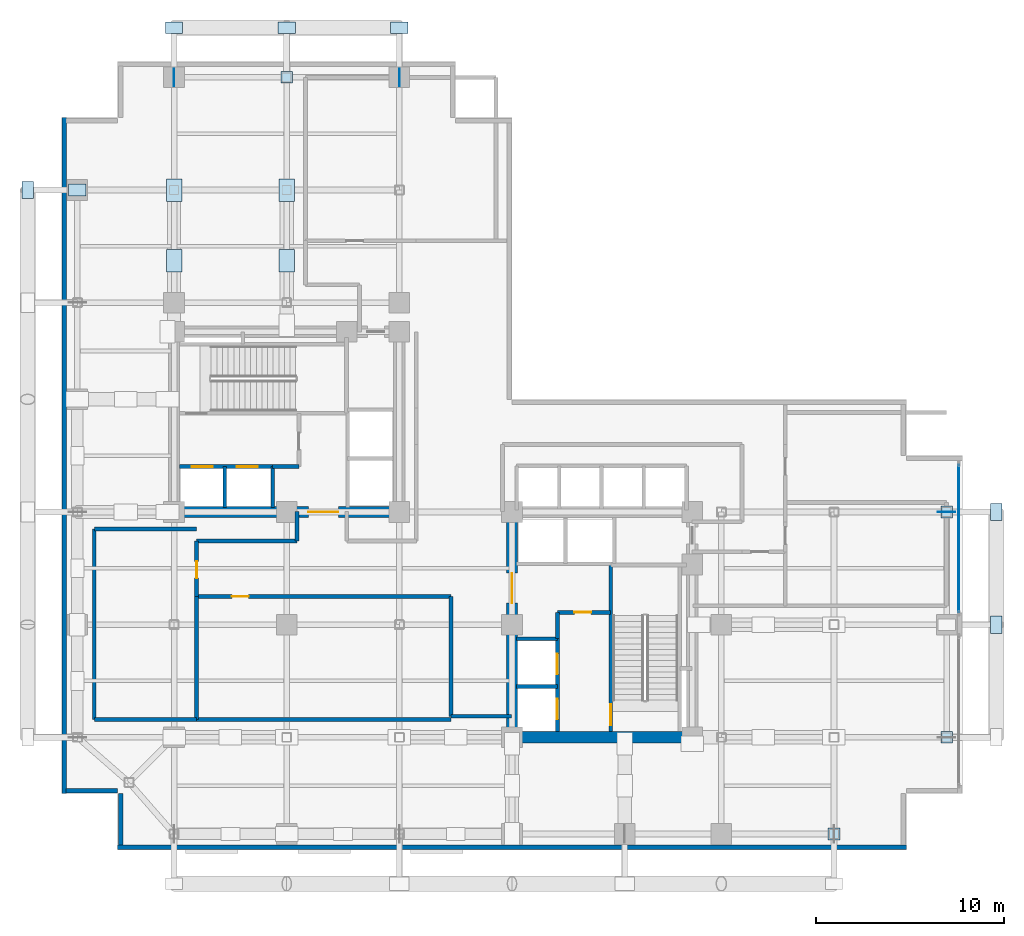
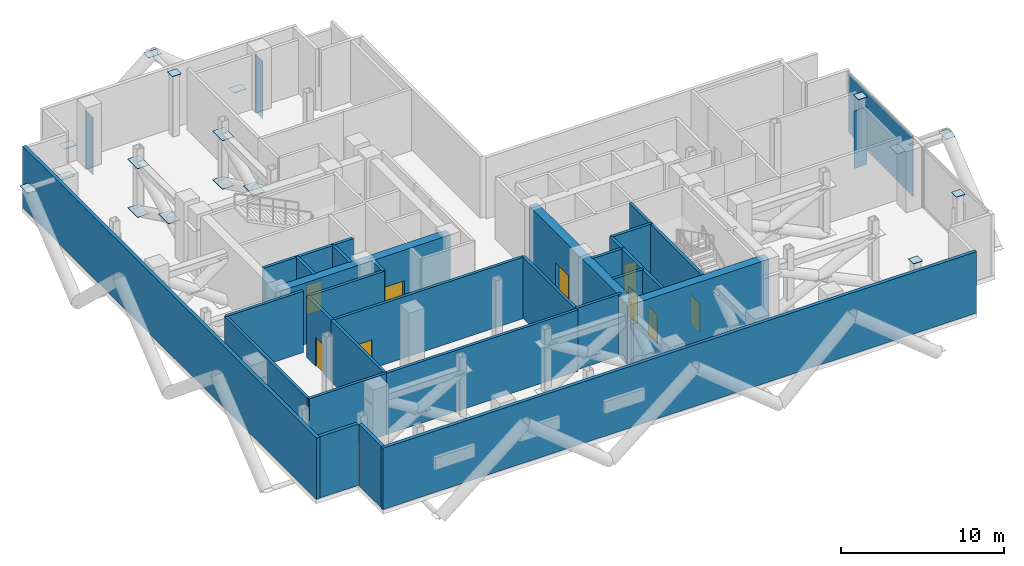
# One storey, part 6 of 9: 28 walls, 21 plates, 10 doors, 10 openings, 1 element without a shape of its own.
"""IFC4 building model written with IfcOpenShell, lengths in metres."""

from ifc_helpers import new_model, si_unit, direction, frame, frame_2d, origin, origin_2d, place, context, subcontext, project, spatial, rectangle, extrude, material, layer, layer_set, type_object, element, fill, aggregate, save


model = new_model("IFC4")

# Units and contexts
model_context = context("Model", 3, precision=1e-05, world=origin(), true_north=direction((0.0, 1.0)))
body_context = subcontext(model_context, "Body", "Model", "MODEL_VIEW")
ifc_project = project(units=[si_unit("LENGTHUNIT", "METRE"), si_unit("AREAUNIT", "SQUARE_METRE"), si_unit("VOLUMEUNIT", "CUBIC_METRE"), si_unit("PLANEANGLEUNIT", "RADIAN"), si_unit("MASSUNIT", "GRAM", prefix="KILO"), si_unit("THERMODYNAMICTEMPERATUREUNIT", "KELVIN"), si_unit("POWERUNIT", "WATT")], contexts=[model_context])

# Site, building, storey
site_placement = place(None, origin())
site = spatial("IfcSite", under=ifc_project, at=site_placement, CompositionType="ELEMENT")
building_placement = place(site_placement, origin())
building = spatial("IfcBuilding", under=site, at=building_placement, Name="Svarakhadi Broadcast Tower", CompositionType="ELEMENT")
storey_placement = place(building_placement, frame((0.0, 0.0, 164.39990234375)))
storey = spatial("IfcBuildingStorey", under=building, at=storey_placement, Name="L40", CompositionType="ELEMENT", Elevation=164.39990234375)

# Curtain wall, plate
ifc_material_1 = material(Name="Anodised Bronze Aluminium AA 6063-T6", Category="aluminium")
ifc_layer_1 = layer(ifc_material_1, 0.260009765625)
ifc_layer_set_1 = layer_set([ifc_layer_1], Name="Anodised Bronze Aluminium AA 6063-T6")
curtain_wall_type = type_object("IfcCurtainWallType", Name="CW_Sys_07", PredefinedType="NOTDEFINED", material=ifc_layer_set_1)
curtain_wall_placement = place(storey_placement, origin())
curtain_wall = element("IfcCurtainWall", 1, at=curtain_wall_placement, inside=storey, type_object=curtain_wall_type, Name="L40 East Plant Daylighting Curtain Wall CW-07 Bay 1", PredefinedType="NOTDEFINED")
ifc_material_2 = material(Name="Triple Laminated Solar-Control Crown Glass 42 mm", Category="glass")
ifc_layer_2 = layer(ifc_material_2, 0.0419921875)
ifc_layer_set_2 = layer_set([ifc_layer_2], Name="Triple Laminated Solar-Control Crown Glass 42 mm")
plate_type_1 = type_object("IfcPlateType", Name="CW_Sys_07_Pnl", PredefinedType="CURTAIN_PANEL", material=ifc_layer_set_2)
plate_1_placement = place(storey_placement, frame((47.800048828125, 16.590087890625, 0.09033203125), z_axis=(0.0, 0.0, 1.0), x_axis=(0.0, -1.0, 0.0)))
plate_1 = element("IfcPlate", 2, at=plate_1_placement, type_object=plate_type_1, Name="CW-07 panel 1.1", PredefinedType="CURTAIN_PANEL", context=body_context, shape_type="SweptSolid", body=[
    extrude(rectangle(XDim=7.860107421875, YDim=0.0419921875, at=origin_2d()), origin(), (0.0, 0.0, 1.0), 4.409912109375),
])
aggregate(curtain_wall, [plate_1])

# Plates
ifc_material_3 = material(Name="Steel S460ML (IS 2062 E450BR)", Category="steel")
ifc_layer_3 = layer(ifc_material_3, 0.031982421875)
ifc_layer_set_3 = layer_set([ifc_layer_3], Name="Steel S460ML (IS 2062 E450BR)")
plate_type_2 = type_object("IfcPlateType", Name="Cap_Plate_CP01", PredefinedType="USERDEFINED", material=ifc_layer_set_3)
for number, where, z_axis, x_axis, name in (
    (3, (12.0, 41.14990234375, 4.55517578125), (0.0, 0.0, 1.0), (1.0, 0.0, 0.0), "L40 Hollow Column Top Cap Plate G23"),
    (4, (41.14990234375, 0.85009765625, 4.795166015625), (0.0, 0.0, 1.0), (1.0, 0.0, 0.0), "L40 Hollow Column Top Cap Plate G43"),
    (5, (47.14990234375, 6.0, 4.55517578125), (0.0, 0.0, 1.0), (1.0, 0.0, 0.0), "L40 Hollow Column Top Cap Plate G51"),
    (6, (47.14990234375, 18.0, 4.55517578125), (0.0, 0.0, 1.0), (1.0, 0.0, 0.0), "L40 Hollow Column Top Cap Plate G53"),
):
    element("IfcPlate", number, at=place(storey_placement, frame(where, z_axis=z_axis, x_axis=x_axis)), inside=storey, type_object=plate_type_2, Name=name, ObjectType="FLANGE_PLATE", PredefinedType="USERDEFINED", context=body_context, shape_type="SweptSolid", body=[
        extrude(rectangle(XDim=0.6201171875, YDim=0.6201171875, at=origin_2d()), origin(), (0.0, 0.0, 1.0), 0.0400390625),
    ])
ifc_layer_4 = layer(ifc_material_3, 0.02587890625)
ifc_layer_set_4 = layer_set([ifc_layer_4], Name="Steel S460ML (IS 2062 E450BR)")
plate_type_3 = type_object("IfcPlateType", Name="Node_Gusset_N07", PredefinedType="SHEET", material=ifc_layer_set_4)
for number, where, z_axis, x_axis, name in (
    (7, (49.800048828125, 18.0, -0.324951171875), (0.0, 0.0, 1.0), (0.0, 1.0, 0.0), "L40 Exoskeleton Gusset Node Plate E09"),
    (8, (6.0, 43.800048828125, -0.324951171875), (0.0, 0.0, 1.0), (1.0, 0.0, 0.0), "L40 Exoskeleton Gusset Node Plate N10"),
    (9, (18.0, 43.800048828125, -0.324951171875), (0.0, 0.0, 1.0), (1.0, 0.0, 0.0), "L40 Exoskeleton Gusset Node Plate N11"),
    (10, (-1.800048828125, 35.14990234375, 4.4150390625), (0.0, 0.0, 1.0), (0.0, 1.0, 0.0), "L40 Brace End Connection Gusset Plate N-07-E0334"),
    (11, (0.85009765625, 35.14990234375, 4.4150390625), (0.0, 0.0, 1.0), (1.0, 0.0, 0.0), "L40 Brace End Connection Gusset Plate N-07-E0335"),
):
    element("IfcPlate", number, at=place(storey_placement, frame(where, z_axis=z_axis, x_axis=x_axis)), inside=storey, type_object=plate_type_3, Name=name, PredefinedType="SHEET", context=body_context, shape_type="SweptSolid", body=[
        extrude(rectangle(XDim=0.919921875, YDim=0.6201171875, at=origin_2d()), origin(), (0.0, 0.0, 1.0), 0.02587890625),
    ])
plate_2_placement = place(storey_placement, frame((47.14990234375, 18.0, -0.68701171875), z_axis=(0.0, 0.0, 1.0), x_axis=(1.0, 0.0, 0.0)))
element("IfcPlate", 12, at=plate_2_placement, inside=storey, type_object=plate_type_3, Name="L40 Brace End Connection Gusset Plate N-07-E0337", PredefinedType="SHEET", context=body_context, shape_type="SweptSolid", body=[
    extrude(rectangle(XDim=0.919921875, YDim=0.02587890625, at=origin_2d()), origin(), (0.0, 0.0, 1.0), 4.300048828125),
])
plate_3_placement = place(storey_placement, frame((49.800048828125, 12.0, 4.4150390625), z_axis=(0.0, 0.0, 1.0), x_axis=(0.0, 1.0, 0.0)))
element("IfcPlate", 13, at=plate_3_placement, inside=storey, type_object=plate_type_3, Name="L40 Brace End Connection Gusset Plate N-07-E0338", PredefinedType="SHEET", context=body_context, shape_type="SweptSolid", body=[
    extrude(rectangle(XDim=0.919921875, YDim=0.6201171875, at=origin_2d()), origin(), (0.0, 0.0, 1.0), 0.02587890625),
])
for number, where, z_axis, x_axis, name in (
    (14, (6.0, 41.14990234375, -0.68701171875), (0.0, 0.0, 1.0), (0.0, 1.0, 0.0), "L40 Brace End Connection Gusset Plate N-07-E0340"),
    (15, (18.0, 41.14990234375, -0.68701171875), (0.0, 0.0, 1.0), (0.0, 1.0, 0.0), "L40 Brace End Connection Gusset Plate N-07-E0341"),
):
    element("IfcPlate", number, at=place(storey_placement, frame(where, z_axis=z_axis, x_axis=x_axis)), inside=storey, type_object=plate_type_3, Name=name, PredefinedType="SHEET", context=body_context, shape_type="SweptSolid", body=[
        extrude(rectangle(XDim=0.919921875, YDim=0.02587890625, at=origin_2d()), origin(), (0.0, 0.0, 1.0), 4.300048828125),
    ])
plate_4_placement = place(storey_placement, frame((12.0, 43.800048828125, 4.4150390625), z_axis=(0.0, 0.0, 1.0), x_axis=(1.0, 0.0, 0.0)))
element("IfcPlate", 16, at=plate_4_placement, inside=storey, type_object=plate_type_3, Name="L40 Brace End Connection Gusset Plate N-07-E0342", PredefinedType="SHEET", context=body_context, shape_type="SweptSolid", body=[
    extrude(rectangle(XDim=0.919921875, YDim=0.6201171875, at=origin_2d()), origin(), (0.0, 0.0, 1.0), 0.02587890625),
])
ifc_layer_5 = layer(ifc_material_3, 0.0380859375)
ifc_layer_set_5 = layer_set([ifc_layer_5], Name="Steel S460ML (IS 2062 E450BR)")
plate_type_4 = type_object("IfcPlateType", Name="Outrigger_Node_ON02", PredefinedType="SHEET", material=ifc_layer_set_5)
for number, where, z_axis, x_axis, name in (
    (17, (6.0, 31.375, 1.801025390625), (0.0, 0.0, 1.0), (0.0, 1.0, 0.0), "L40 Outrigger Truss Crossing Gusset Plate ON-02-03"),
    (18, (12.0, 31.375, 1.801025390625), (0.0, 0.0, 1.0), (0.0, 1.0, 0.0), "L40 Outrigger Truss Crossing Gusset Plate ON-02-04"),
    (19, (6.0, 35.14990234375, 3.62109375), (0.0, 0.0, 1.0), (0.0, 1.0, 0.0), "L40 Brace End Connection Gusset Plate ON-02-E0649"),
    (20, (6.0, 35.14990234375, -0.01904296875), (0.0, 0.0, 1.0), (0.0, 1.0, 0.0), "L40 Brace End Connection Gusset Plate ON-02-E0650"),
    (21, (12.0, 35.14990234375, 3.62109375), (0.0, 0.0, 1.0), (0.0, 1.0, 0.0), "L40 Brace End Connection Gusset Plate ON-02-E0653"),
    (22, (12.0, 35.14990234375, -0.01904296875), (0.0, 0.0, 1.0), (0.0, 1.0, 0.0), "L40 Brace End Connection Gusset Plate ON-02-E0654"),
):
    element("IfcPlate", number, at=place(storey_placement, frame(where, z_axis=z_axis, x_axis=x_axis)), inside=storey, type_object=plate_type_4, Name=name, PredefinedType="SHEET", context=body_context, shape_type="SweptSolid", body=[
        extrude(rectangle(XDim=1.199951171875, YDim=0.820068359375, at=origin_2d()), origin(), (0.0, 0.0, 1.0), 0.0380859375),
    ])

# Walls
ifc_material_4 = material(Name="Concrete C40/50 (IS 456 M50)", Category="concrete")
ifc_layer_6 = layer(ifc_material_4, 0.239990234375)
ifc_layer_set_6 = layer_set([ifc_layer_6], Name="Concrete C40/50 (IS 456 M50)")
wall_type_1 = type_object("IfcWallType", Name="Wall_Ext_240", PredefinedType="SOLIDWALL", material=ifc_layer_set_6)
wall_1_placement = place(storey_placement, frame((45.0, 0.14990234375, 0.0), z_axis=(0.0, 0.0, 1.0), x_axis=(-1.0, 0.0, 0.0)))
element("IfcWall", 23, at=wall_1_placement, inside=storey, type_object=wall_type_1, Name="L40 South Mechanical Acoustic Louvred Plant Wall", PredefinedType="SOLIDWALL", context=body_context, shape_type="SweptSolid", body=[
    extrude(rectangle(XDim=42.0, YDim=0.239990234375, at=frame_2d((21.0, 0.0))), origin(), (0.0, 0.0, 1.0), 4.590087890625),
])
wall_2_placement = place(storey_placement, frame((0.14990234375, 3.0, 0.0), z_axis=(0.0, 0.0, 1.0), x_axis=(0.0, 1.0, 0.0)))
element("IfcWall", 24, at=wall_2_placement, inside=storey, type_object=wall_type_1, Name="L40 West Mechanical Acoustic Louvred Plant Wall", PredefinedType="SOLIDWALL", context=body_context, shape_type="SweptSolid", body=[
    extrude(rectangle(XDim=36.0, YDim=0.239990234375, at=frame_2d((18.0, 0.0))), origin(), (0.0, 0.0, 1.0), 4.590087890625),
])
for number, where, z_axis, x_axis, name in (
    (25, (3.0, 3.14990234375, 0.0), (0.0, 0.0, 1.0), (-1.0, 0.0, 0.0), "L40 Perimeter Bronze Spandrel Closure Wall 01"),
    (26, (3.14990234375, 0.2548828125, 0.0), (0.0, 0.0, 1.0), (0.0, 1.0, 0.0), "L40 Perimeter Bronze Spandrel Closure Wall 14"),
):
    element("IfcWall", number, at=place(storey_placement, frame(where, z_axis=z_axis, x_axis=x_axis)), inside=storey, type_object=wall_type_1, Name=name, PredefinedType="SOLIDWALL", context=body_context, shape_type="SweptSolid", body=[
        extrude(rectangle(XDim=2.7451171875, YDim=0.239990234375, at=frame_2d((1.37255859375, 0.0))), origin(), (0.0, 0.0, 1.0), 4.590087890625),
    ])

# Wall, opening, door
ifc_layer_7 = layer(ifc_material_4, 0.199951171875)
ifc_layer_set_7 = layer_set([ifc_layer_7], Name="Concrete C40/50 (IS 456 M50)")
wall_type_2 = type_object("IfcWallType", Name="Wall_Fire_200", PredefinedType="SOLIDWALL", material=ifc_layer_set_7)
wall_3_placement = place(storey_placement, frame((20.75, 13.5, 0.0), z_axis=(0.0, 0.0, 1.0), x_axis=(-1.0, 0.0, 0.0)))
wall_3 = element("IfcWall", 27, at=wall_3_placement, inside=storey, type_object=wall_type_2, Name="L40 Plant Service Corridor Wall", PredefinedType="SOLIDWALL", context=body_context, shape_type="SweptSolid", body=[
    extrude(rectangle(XDim=13.550048828125, YDim=0.199951171875, at=frame_2d((6.77490234375, 0.0))), origin(), (0.0, 0.0, 1.0), 4.590087890625),
])
opening_1_placement = place(wall_3_placement, frame((10.77490234375, 0.0, 0.0)))
opening_1 = element("IfcOpeningElement", 28, at=opening_1_placement, cuts=wall_3, Name="Opening D-03", PredefinedType="OPENING", context=body_context, shape_type="SweptSolid", body=[
    extrude(rectangle(XDim=0.89990234375, YDim=2.14990234375, at=frame_2d((0.449951171875, 1.074951171875))), frame((0.0, 0.10986328125, 0.0), z_axis=(0.0, -1.0, 0.0), x_axis=(1.0, 0.0, 0.0)), (0.0, 0.0, 1.0), 0.219970703125),
])
ifc_material_5 = material(Name="Galvanised Powder-Coated Fire-Rated Steel Leaf", Category="steel")
door_type_1 = type_object("IfcDoorType", Name="Door_Fire_D03", OperationType="SINGLE_SWING_LEFT", PredefinedType="DOOR", material=ifc_material_5)
door_1_placement = place(opening_1_placement, origin())
door_1 = element("IfcDoor", 29, at=door_1_placement, inside=storey, type_object=door_type_1, Name="L40 Pressurised Fire Refuge Area West Door", OperationType="SINGLE_SWING_LEFT", OverallHeight=2.14990234375, OverallWidth=0.89990234375, PredefinedType="DOOR", context=body_context, shape_type="SweptSolid", body=[
    extrude(rectangle(XDim=0.89990234375, YDim=2.14990234375, at=frame_2d((0.449951171875, 1.074951171875))), frame((0.0, 0.02490234375, 0.0), z_axis=(0.0, -1.0, 0.0), x_axis=(1.0, 0.0, 0.0)), (0.0, 0.0, 1.0), 0.050048828125),
])
fill(opening_1, door_1)

wall_4_placement = place(storey_placement, frame((7.199951171875, 13.5, 0.0), z_axis=(0.0, 0.0, 1.0), x_axis=(0.0, 1.0, 0.0)))
wall_4 = element("IfcWall", 30, at=wall_4_placement, inside=storey, type_object=wall_type_2, Name="L40 Plant Service Corridor Wall", PredefinedType="SOLIDWALL", context=body_context, shape_type="SweptSolid", body=[
    extrude(rectangle(XDim=2.949951171875, YDim=0.199951171875, at=frame_2d((1.47509765625, 0.0))), origin(), (0.0, 0.0, 1.0), 4.590087890625),
])
opening_2_placement = place(wall_4_placement, frame((0.97509765625, 0.0, 0.0)))
opening_2 = element("IfcOpeningElement", 31, at=opening_2_placement, cuts=wall_4, Name="Opening D-04", PredefinedType="OPENING", context=body_context, shape_type="SweptSolid", body=[
    extrude(rectangle(XDim=0.89990234375, YDim=2.14990234375, at=frame_2d((0.449951171875, 1.074951171875))), frame((0.0, 0.10986328125, 0.0), z_axis=(0.0, -1.0, 0.0), x_axis=(1.0, 0.0, 0.0)), (0.0, 0.0, 1.0), 0.219970703125),
])
door_type_2 = type_object("IfcDoorType", Name="Door_Fire_D04", OperationType="SINGLE_SWING_RIGHT", PredefinedType="DOOR", material=ifc_material_5)
door_2_placement = place(opening_2_placement, origin())
door_2 = element("IfcDoor", 32, at=door_2_placement, inside=storey, type_object=door_type_2, Name="L40 Primary Supply Air Handling Plant Room Door", OperationType="SINGLE_SWING_RIGHT", OverallHeight=2.14990234375, OverallWidth=0.89990234375, PredefinedType="DOOR", context=body_context, shape_type="SweptSolid", body=[
    extrude(rectangle(XDim=0.89990234375, YDim=2.14990234375, at=frame_2d((0.449951171875, 1.074951171875))), frame((0.0, 0.02490234375, 0.0), z_axis=(0.0, -1.0, 0.0), x_axis=(1.0, 0.0, 0.0)), (0.0, 0.0, 1.0), 0.050048828125),
])
fill(opening_2, door_2)

# Walls
wall_5_placement = place(storey_placement, frame((7.199951171875, 16.449951171875, 0.0), z_axis=(0.0, 0.0, 1.0), x_axis=(1.0, 0.0, 0.0)))
element("IfcWall", 33, at=wall_5_placement, inside=storey, type_object=wall_type_2, Name="L40 Plant Service Corridor Wall", PredefinedType="SOLIDWALL", context=body_context, shape_type="SweptSolid", body=[
    extrude(rectangle(XDim=5.35009765625, YDim=0.199951171875, at=frame_2d((2.675048828125, 0.0))), origin(), (0.0, 0.0, 1.0), 4.590087890625),
])
wall_6_placement = place(storey_placement, frame((12.550048828125, 16.449951171875, 0.0), z_axis=(0.0, 0.0, 1.0), x_axis=(0.0, 1.0, 0.0)))
element("IfcWall", 34, at=wall_6_placement, inside=storey, type_object=wall_type_2, Name="L40 Plant Service Corridor Wall", PredefinedType="SOLIDWALL", context=body_context, shape_type="SweptSolid", body=[
    extrude(rectangle(XDim=1.570068359375, YDim=0.199951171875, at=frame_2d((0.78515625, 0.0))), origin(), (0.0, 0.0, 1.0), 4.590087890625),
])
wall_7_placement = place(storey_placement, frame((23.97998046875, 7.1201171875, 0.0), z_axis=(0.0, 0.0, 1.0), x_axis=(-1.0, 0.0, 0.0)))
element("IfcWall", 35, at=wall_7_placement, inside=storey, type_object=wall_type_2, Name="L40 Plant Service Corridor Wall", PredefinedType="SOLIDWALL", context=body_context, shape_type="SweptSolid", body=[
    extrude(rectangle(XDim=3.22998046875, YDim=0.199951171875, at=frame_2d((1.614990234375, 0.0))), origin(), (0.0, 0.0, 1.0), 4.590087890625),
])
wall_8_placement = place(storey_placement, frame((20.75, 7.1201171875, 0.0), z_axis=(0.0, 0.0, 1.0), x_axis=(0.0, 1.0, 0.0)))
element("IfcWall", 36, at=wall_8_placement, inside=storey, type_object=wall_type_2, Name="L40 Plant Service Corridor Wall", PredefinedType="SOLIDWALL", context=body_context, shape_type="SweptSolid", body=[
    extrude(rectangle(XDim=6.3798828125, YDim=0.199951171875, at=frame_2d((3.18994140625, 0.0))), origin(), (0.0, 0.0, 1.0), 4.590087890625),
])
wall_9_placement = place(storey_placement, frame((7.199951171875, 6.949951171875, 0.0), z_axis=(0.0, 0.0, 1.0), x_axis=(1.0, 0.0, 0.0)))
element("IfcWall", 37, at=wall_9_placement, inside=storey, type_object=wall_type_2, Name="L40 Pressurised Fire Refuge Area West Wall", PredefinedType="SOLIDWALL", context=body_context, shape_type="SweptSolid", body=[
    extrude(rectangle(XDim=13.550048828125, YDim=0.199951171875, at=frame_2d((6.77490234375, 0.0))), origin(), (0.0, 0.0, 1.0), 4.590087890625),
])
wall_10_placement = place(storey_placement, frame((7.199951171875, 6.949951171875, 0.0), z_axis=(0.0, 0.0, 1.0), x_axis=(0.0, 1.0, 0.0)))
element("IfcWall", 38, at=wall_10_placement, inside=storey, type_object=wall_type_2, Name="L40 Pressurised Fire Refuge Area West Wall", PredefinedType="SOLIDWALL", context=body_context, shape_type="SweptSolid", body=[
    extrude(rectangle(XDim=6.550048828125, YDim=0.199951171875, at=frame_2d((3.27490234375, 0.0))), origin(), (0.0, 0.0, 1.0), 4.590087890625),
])
for number, where, z_axis, x_axis, name in (
    (39, (1.75, 6.949951171875, 0.0), (0.0, 0.0, 1.0), (1.0, 0.0, 0.0), "L40 Primary Supply Air Handling Plant Room Wall"),
    (40, (1.75, 17.10009765625, 0.0), (0.0, 0.0, 1.0), (1.0, 0.0, 0.0), "L40 Primary Supply Air Handling Plant Room Wall"),
):
    element("IfcWall", number, at=place(storey_placement, frame(where, z_axis=z_axis, x_axis=x_axis)), inside=storey, type_object=wall_type_2, Name=name, PredefinedType="SOLIDWALL", context=body_context, shape_type="SweptSolid", body=[
        extrude(rectangle(XDim=5.449951171875, YDim=0.199951171875, at=frame_2d((2.72509765625, 0.0))), origin(), (0.0, 0.0, 1.0), 4.590087890625),
    ])
wall_11_placement = place(storey_placement, frame((1.75, 6.949951171875, 0.0), z_axis=(0.0, 0.0, 1.0), x_axis=(0.0, 1.0, 0.0)))
element("IfcWall", 41, at=wall_11_placement, inside=storey, type_object=wall_type_2, Name="L40 Primary Supply Air Handling Plant Room Wall", PredefinedType="SOLIDWALL", context=body_context, shape_type="SweptSolid", body=[
    extrude(rectangle(XDim=10.150146484375, YDim=0.199951171875, at=frame_2d((5.0751953125, 0.0))), origin(), (0.0, 0.0, 1.0), 4.590087890625),
])

# Wall, opening, door
ifc_material_6 = material(Name="Concrete C50/60 (IS 456 M60)", Category="concrete")
ifc_layer_8 = layer(ifc_material_6, 0.199951171875)
ifc_layer_set_8 = layer_set([ifc_layer_8], Name="Concrete C50/60 (IS 456 M60)")
wall_type_3 = type_object("IfcWallType", Name="Wall_Shear_200", PredefinedType="SHEAR", material=ifc_layer_set_8)
wall_12_placement = place(storey_placement, frame((29.260009765625, 6.300048828125, 0.0), z_axis=(0.0, 0.0, 1.0), x_axis=(0.0, 1.0, 0.0)))
wall_12 = element("IfcWall", 42, at=wall_12_placement, inside=storey, type_object=wall_type_3, Name="L40 Stair ST-02 West RC Shaft Wall", PredefinedType="SHEAR", context=body_context, shape_type="SweptSolid", body=[
    extrude(rectangle(XDim=8.8798828125, YDim=0.199951171875, at=frame_2d((4.43994140625, 0.0))), origin(), (0.0, 0.0, 1.0), 4.590087890625),
])
opening_3_placement = place(wall_12_placement, frame((0.35009765625, 0.0, 0.0)))
opening_3 = element("IfcOpeningElement", 43, at=opening_3_placement, cuts=wall_12, Name="Opening D-02", PredefinedType="OPENING", context=body_context, shape_type="SweptSolid", body=[
    extrude(rectangle(XDim=1.10009765625, YDim=2.199951171875, at=frame_2d((0.550048828125, 1.10009765625))), frame((0.0, 0.10986328125, 0.0), z_axis=(0.0, -1.0, 0.0), x_axis=(1.0, 0.0, 0.0)), (0.0, 0.0, 1.0), 0.219970703125),
])
door_type_3 = type_object("IfcDoorType", Name="Door_Stair_D02", OperationType="SINGLE_SWING_RIGHT", PredefinedType="DOOR", material=ifc_material_5)
door_3_placement = place(opening_3_placement, origin())
door_3 = element("IfcDoor", 44, at=door_3_placement, inside=storey, type_object=door_type_3, Name="L40 Protected Exit Stair ST-02 Fire Door", OperationType="SINGLE_SWING_RIGHT", OverallHeight=2.199951171875, OverallWidth=1.10009765625, PredefinedType="DOOR", context=body_context, shape_type="SweptSolid", body=[
    extrude(rectangle(XDim=1.10009765625, YDim=2.199951171875, at=frame_2d((0.550048828125, 1.10009765625))), frame((0.0, 0.02490234375, 0.0), z_axis=(0.0, -1.0, 0.0), x_axis=(1.0, 0.0, 0.0)), (0.0, 0.0, 1.0), 0.050048828125),
])
fill(opening_3, door_3)

# Wall, openings, doors
wall_13_placement = place(storey_placement, frame((6.300048828125, 20.419921875, 0.0), z_axis=(0.0, 0.0, 1.0), x_axis=(1.0, 0.0, 0.0)))
wall_13 = element("IfcWall", 45, at=wall_13_placement, inside=storey, type_object=wall_type_3, Name="L40 Firefighting Lift LF-01/02 Shaft Wall", PredefinedType="SHEAR", context=body_context, shape_type="SweptSolid", body=[
    extrude(rectangle(XDim=4.949951171875, YDim=0.199951171875, at=frame_2d((2.47509765625, 0.0))), origin(), (0.0, 0.0, 1.0), 4.590087890625),
])
opening_4_placement = place(wall_13_placement, frame((0.64990234375, 0.0, 0.0)))
opening_4 = element("IfcOpeningElement", 46, at=opening_4_placement, cuts=wall_13, Name="Opening LD-01", PredefinedType="OPENING", context=body_context, shape_type="SweptSolid", body=[
    extrude(rectangle(XDim=1.10009765625, YDim=2.199951171875, at=frame_2d((0.550048828125, 1.10009765625))), frame((0.0, 0.10986328125, 0.0), z_axis=(0.0, -1.0, 0.0), x_axis=(1.0, 0.0, 0.0)), (0.0, 0.0, 1.0), 0.219970703125),
])
opening_5_placement = place(wall_13_placement, frame((3.050048828125, 0.0, 0.0)))
opening_5 = element("IfcOpeningElement", 47, at=opening_5_placement, cuts=wall_13, Name="Opening LD-01", PredefinedType="OPENING", context=body_context, shape_type="SweptSolid", body=[
    extrude(rectangle(XDim=1.10009765625, YDim=2.199951171875, at=frame_2d((0.550048828125, 1.10009765625))), frame((0.0, 0.10986328125, 0.0), z_axis=(0.0, -1.0, 0.0), x_axis=(1.0, 0.0, 0.0)), (0.0, 0.0, 1.0), 0.219970703125),
])
door_type_4 = type_object("IfcDoorType", Name="Door_Lift_LD01", OperationType="SLIDING_TO_LEFT", PredefinedType="DOOR", material=ifc_material_5)
door_4_placement = place(opening_4_placement, origin())
door_4 = element("IfcDoor", 48, at=door_4_placement, inside=storey, type_object=door_type_4, Name="L40 Firefighting Lift LF-01 Landing Door", OperationType="SLIDING_TO_LEFT", OverallHeight=2.199951171875, OverallWidth=1.10009765625, PredefinedType="DOOR", context=body_context, shape_type="SweptSolid", body=[
    extrude(rectangle(XDim=1.10009765625, YDim=2.199951171875, at=frame_2d((0.550048828125, 1.10009765625))), frame((0.0, 0.02490234375, 0.0), z_axis=(0.0, -1.0, 0.0), x_axis=(1.0, 0.0, 0.0)), (0.0, 0.0, 1.0), 0.050048828125),
])
fill(opening_4, door_4)
door_5_placement = place(opening_5_placement, origin())
door_5 = element("IfcDoor", 49, at=door_5_placement, inside=storey, type_object=door_type_4, Name="L40 Firefighting Lift LF-02 Landing Door", OperationType="SLIDING_TO_LEFT", OverallHeight=2.199951171875, OverallWidth=1.10009765625, PredefinedType="DOOR", context=body_context, shape_type="SweptSolid", body=[
    extrude(rectangle(XDim=1.10009765625, YDim=2.199951171875, at=frame_2d((0.550048828125, 1.10009765625))), frame((0.0, 0.02490234375, 0.0), z_axis=(0.0, -1.0, 0.0), x_axis=(1.0, 0.0, 0.0)), (0.0, 0.0, 1.0), 0.050048828125),
])
fill(opening_5, door_5)

# Walls
for number, where, z_axis, x_axis, name in (
    (50, (8.699951171875, 18.25, 0.0), (0.0, 0.0, 1.0), (0.0, 1.0, 0.0), "L40 Firefighting Lift LF-01/02 Divider Wall"),
    (51, (11.25, 18.25, 0.0), (0.0, 0.0, 1.0), (0.0, 1.0, 0.0), "L40 Firefighting Lift LF-02 East Wall"),
):
    element("IfcWall", number, at=place(storey_placement, frame(where, z_axis=z_axis, x_axis=x_axis)), inside=storey, type_object=wall_type_3, Name=name, PredefinedType="SHEAR", context=body_context, shape_type="SweptSolid", body=[
        extrude(rectangle(XDim=2.169921875, YDim=0.199951171875, at=frame_2d((1.0849609375, 0.0))), origin(), (0.0, 0.0, 1.0), 4.590087890625),
    ])
wall_14_placement = place(storey_placement, frame((11.25, 20.419921875, 0.0), z_axis=(0.0, 0.0, 1.0), x_axis=(1.0, 0.0, 0.0)))
element("IfcWall", 52, at=wall_14_placement, inside=storey, type_object=wall_type_3, Name="L40 West Firefighting Lobby South Wall", PredefinedType="SHEAR", context=body_context, shape_type="SweptSolid", body=[
    extrude(rectangle(XDim=1.39990234375, YDim=0.199951171875, at=frame_2d((0.699951171875, 0.0))), origin(), (0.0, 0.0, 1.0), 4.590087890625),
])

# Wall, openings, doors
wall_15_placement = place(storey_placement, frame((26.419921875, 6.300048828125, 0.0), z_axis=(0.0, 0.0, 1.0), x_axis=(0.0, 1.0, 0.0)))
wall_15 = element("IfcWall", 53, at=wall_15_placement, inside=storey, type_object=wall_type_3, Name="L40 Firefighting Lift LF-03/04 Shaft Wall", PredefinedType="SHEAR", context=body_context, shape_type="SweptSolid", body=[
    extrude(rectangle(XDim=4.949951171875, YDim=0.199951171875, at=frame_2d((2.47509765625, 0.0))), origin(), (0.0, 0.0, 1.0), 4.590087890625),
])
opening_6_placement = place(wall_15_placement, frame((0.64990234375, 0.0, 0.0)))
opening_6 = element("IfcOpeningElement", 54, at=opening_6_placement, cuts=wall_15, Name="Opening LD-01", PredefinedType="OPENING", context=body_context, shape_type="SweptSolid", body=[
    extrude(rectangle(XDim=1.10009765625, YDim=2.199951171875, at=frame_2d((0.550048828125, 1.10009765625))), frame((0.0, 0.10986328125, 0.0), z_axis=(0.0, -1.0, 0.0), x_axis=(1.0, 0.0, 0.0)), (0.0, 0.0, 1.0), 0.219970703125),
])
opening_7_placement = place(wall_15_placement, frame((3.050048828125, 0.0, 0.0)))
opening_7 = element("IfcOpeningElement", 55, at=opening_7_placement, cuts=wall_15, Name="Opening LD-01", PredefinedType="OPENING", context=body_context, shape_type="SweptSolid", body=[
    extrude(rectangle(XDim=1.10009765625, YDim=2.199951171875, at=frame_2d((0.550048828125, 1.10009765625))), frame((0.0, 0.10986328125, 0.0), z_axis=(0.0, -1.0, 0.0), x_axis=(1.0, 0.0, 0.0)), (0.0, 0.0, 1.0), 0.219970703125),
])
door_6_placement = place(opening_6_placement, origin())
door_6 = element("IfcDoor", 56, at=door_6_placement, inside=storey, type_object=door_type_4, Name="L40 Firefighting Lift LF-03 Landing Door", OperationType="SLIDING_TO_LEFT", OverallHeight=2.199951171875, OverallWidth=1.10009765625, PredefinedType="DOOR", context=body_context, shape_type="SweptSolid", body=[
    extrude(rectangle(XDim=1.10009765625, YDim=2.199951171875, at=frame_2d((0.550048828125, 1.10009765625))), frame((0.0, 0.02490234375, 0.0), z_axis=(0.0, -1.0, 0.0), x_axis=(1.0, 0.0, 0.0)), (0.0, 0.0, 1.0), 0.050048828125),
])
fill(opening_6, door_6)
door_7_placement = place(opening_7_placement, origin())
door_7 = element("IfcDoor", 57, at=door_7_placement, inside=storey, type_object=door_type_4, Name="L40 Firefighting Lift LF-04 Landing Door", OperationType="SLIDING_TO_LEFT", OverallHeight=2.199951171875, OverallWidth=1.10009765625, PredefinedType="DOOR", context=body_context, shape_type="SweptSolid", body=[
    extrude(rectangle(XDim=1.10009765625, YDim=2.199951171875, at=frame_2d((0.550048828125, 1.10009765625))), frame((0.0, 0.02490234375, 0.0), z_axis=(0.0, -1.0, 0.0), x_axis=(1.0, 0.0, 0.0)), (0.0, 0.0, 1.0), 0.050048828125),
])
fill(opening_7, door_7)

# Walls
for number, where, z_axis, x_axis, name in (
    (58, (24.25, 8.699951171875, 0.0), (0.0, 0.0, 1.0), (1.0, 0.0, 0.0), "L40 Firefighting Lift LF-03/04 Divider Wall"),
    (59, (24.25, 11.25, 0.0), (0.0, 0.0, 1.0), (1.0, 0.0, 0.0), "L40 Firefighting Lift LF-04 North Wall"),
):
    element("IfcWall", number, at=place(storey_placement, frame(where, z_axis=z_axis, x_axis=x_axis)), inside=storey, type_object=wall_type_3, Name=name, PredefinedType="SHEAR", context=body_context, shape_type="SweptSolid", body=[
        extrude(rectangle(XDim=2.169921875, YDim=0.199951171875, at=frame_2d((1.0849609375, 0.0))), origin(), (0.0, 0.0, 1.0), 4.590087890625),
    ])
wall_16_placement = place(storey_placement, frame((26.419921875, 11.25, 0.0), z_axis=(0.0, 0.0, 1.0), x_axis=(0.0, 1.0, 0.0)))
element("IfcWall", 60, at=wall_16_placement, inside=storey, type_object=wall_type_3, Name="L40 East Firefighting Lobby West Wall", PredefinedType="SHEAR", context=body_context, shape_type="SweptSolid", body=[
    extrude(rectangle(XDim=1.39990234375, YDim=0.199951171875, at=frame_2d((0.699951171875, 0.0))), origin(), (0.0, 0.0, 1.0), 4.590087890625),
])

# Wall, opening, door
wall_17_placement = place(storey_placement, frame((26.419921875, 12.64990234375, 0.0), z_axis=(0.0, 0.0, 1.0), x_axis=(1.0, 0.0, 0.0)))
wall_17 = element("IfcWall", 61, at=wall_17_placement, inside=storey, type_object=wall_type_3, Name="L40 East Firefighting Lobby North Wall", PredefinedType="SHEAR", context=body_context, shape_type="SweptSolid", body=[
    extrude(rectangle(XDim=2.840087890625, YDim=0.199951171875, at=frame_2d((1.419921875, 0.0))), origin(), (0.0, 0.0, 1.0), 4.590087890625),
])
opening_8_placement = place(wall_17_placement, frame((0.89990234375, 0.0, 0.0)))
opening_8 = element("IfcOpeningElement", 62, at=opening_8_placement, cuts=wall_17, Name="Opening D-04", PredefinedType="OPENING", context=body_context, shape_type="SweptSolid", body=[
    extrude(rectangle(XDim=0.89990234375, YDim=2.14990234375, at=frame_2d((0.449951171875, 1.074951171875))), frame((0.0, 0.10986328125, 0.0), z_axis=(0.0, -1.0, 0.0), x_axis=(1.0, 0.0, 0.0)), (0.0, 0.0, 1.0), 0.219970703125),
])
door_8_placement = place(opening_8_placement, origin())
door_8 = element("IfcDoor", 63, at=door_8_placement, inside=storey, type_object=door_type_2, Name="L40 East Firefighting Lobby Fire Door", OperationType="SINGLE_SWING_RIGHT", OverallHeight=2.14990234375, OverallWidth=0.89990234375, PredefinedType="DOOR", context=body_context, shape_type="SweptSolid", body=[
    extrude(rectangle(XDim=0.89990234375, YDim=2.14990234375, at=frame_2d((0.449951171875, 1.074951171875))), frame((0.0, 0.02490234375, 0.0), z_axis=(0.0, -1.0, 0.0), x_axis=(1.0, 0.0, 0.0)), (0.0, 0.0, 1.0), 0.050048828125),
])
fill(opening_8, door_8)

ifc_material_7 = material(Name="Concrete C60/75 (IS 456 M70)", Category="concrete")
ifc_layer_9 = layer(ifc_material_7, 0.60009765625)
ifc_layer_set_9 = layer_set([ifc_layer_9], Name="Concrete C60/75 (IS 456 M70)")
wall_type_4 = type_object("IfcWallType", Name="Wall_Shear_600", PredefinedType="SHEAR", material=ifc_layer_set_9)
wall_18_placement = place(storey_placement, frame((6.0, 18.0, 0.0), z_axis=(0.0, 0.0, 1.0), x_axis=(1.0, 0.0, 0.0)))
wall_18 = element("IfcWall", 64, at=wall_18_placement, inside=storey, type_object=wall_type_4, Name="L40 West Core South Shear Wall", PredefinedType="SHEAR", context=body_context, shape_type="SweptSolid", body=[
    extrude(rectangle(XDim=12.0, YDim=0.60009765625, at=frame_2d((6.0, 0.0))), origin(), (0.0, 0.0, 1.0), 4.590087890625),
])
opening_9_placement = place(wall_18_placement, frame((7.14990234375, 0.0, 0.0)))
opening_9 = element("IfcOpeningElement", 65, at=opening_9_placement, cuts=wall_18, Name="Opening D-05", PredefinedType="OPENING", context=body_context, shape_type="SweptSolid", body=[
    extrude(rectangle(XDim=1.60009765625, YDim=2.300048828125, at=frame_2d((0.800048828125, 1.14990234375))), frame((0.0, 0.31005859375, 0.0), z_axis=(0.0, -1.0, 0.0), x_axis=(1.0, 0.0, 0.0)), (0.0, 0.0, 1.0), 0.6201171875),
])
door_type_5 = type_object("IfcDoorType", Name="Door_Lobby_D05", OperationType="DOUBLE_DOOR_SLIDING", PredefinedType="DOOR", material=ifc_material_1)
door_9_placement = place(opening_9_placement, origin())
door_9 = element("IfcDoor", 66, at=door_9_placement, inside=storey, type_object=door_type_5, Name="L40 West Core Passenger Lift Lobby Entrance Door", OperationType="DOUBLE_DOOR_SLIDING", OverallHeight=2.300048828125, OverallWidth=1.60009765625, PredefinedType="DOOR", context=body_context, shape_type="SweptSolid", body=[
    extrude(rectangle(XDim=1.60009765625, YDim=2.300048828125, at=frame_2d((0.800048828125, 1.14990234375))), frame((0.0, 0.02490234375, 0.0), z_axis=(0.0, -1.0, 0.0), x_axis=(1.0, 0.0, 0.0)), (0.0, 0.0, 1.0), 0.050048828125),
])
fill(opening_9, door_9)

# Wall
wall_19_placement = place(storey_placement, frame((24.0, 6.0, 0.0), z_axis=(0.0, 0.0, 1.0), x_axis=(1.0, 0.0, 0.0)))
element("IfcWall", 67, at=wall_19_placement, inside=storey, type_object=wall_type_4, Name="L40 East Core South Shear Wall", PredefinedType="SHEAR", context=body_context, shape_type="SweptSolid", body=[
    extrude(rectangle(XDim=9.60009765625, YDim=0.60009765625, at=frame_2d((4.800048828125, 0.0))), origin(), (0.0, 0.0, 1.0), 4.590087890625),
])

# Wall, opening, door
wall_20_placement = place(storey_placement, frame((24.0, 6.0, 0.0), z_axis=(0.0, 0.0, 1.0), x_axis=(0.0, 1.0, 0.0)))
wall_20 = element("IfcWall", 68, at=wall_20_placement, inside=storey, type_object=wall_type_4, Name="L40 East Core West Shear Wall", PredefinedType="SHEAR", context=body_context, shape_type="SweptSolid", body=[
    extrude(rectangle(XDim=12.0, YDim=0.60009765625, at=frame_2d((6.0, 0.0))), origin(), (0.0, 0.0, 1.0), 4.590087890625),
])
opening_10_placement = place(wall_20_placement, frame((7.14990234375, 0.0, 0.0)))
opening_10 = element("IfcOpeningElement", 69, at=opening_10_placement, cuts=wall_20, Name="Opening D-05", PredefinedType="OPENING", context=body_context, shape_type="SweptSolid", body=[
    extrude(rectangle(XDim=1.60009765625, YDim=2.300048828125, at=frame_2d((0.800048828125, 1.14990234375))), frame((0.0, 0.31005859375, 0.0), z_axis=(0.0, -1.0, 0.0), x_axis=(1.0, 0.0, 0.0)), (0.0, 0.0, 1.0), 0.6201171875),
])
door_10_placement = place(opening_10_placement, origin())
door_10 = element("IfcDoor", 70, at=door_10_placement, inside=storey, type_object=door_type_5, Name="L40 East Core Passenger Lift Lobby Entrance Door", OperationType="DOUBLE_DOOR_SLIDING", OverallHeight=2.300048828125, OverallWidth=1.60009765625, PredefinedType="DOOR", context=body_context, shape_type="SweptSolid", body=[
    extrude(rectangle(XDim=1.60009765625, YDim=2.300048828125, at=frame_2d((0.800048828125, 1.14990234375))), frame((0.0, 0.02490234375, 0.0), z_axis=(0.0, -1.0, 0.0), x_axis=(1.0, 0.0, 0.0)), (0.0, 0.0, 1.0), 0.050048828125),
])
fill(opening_10, door_10)

save(model, "model.ifc")
